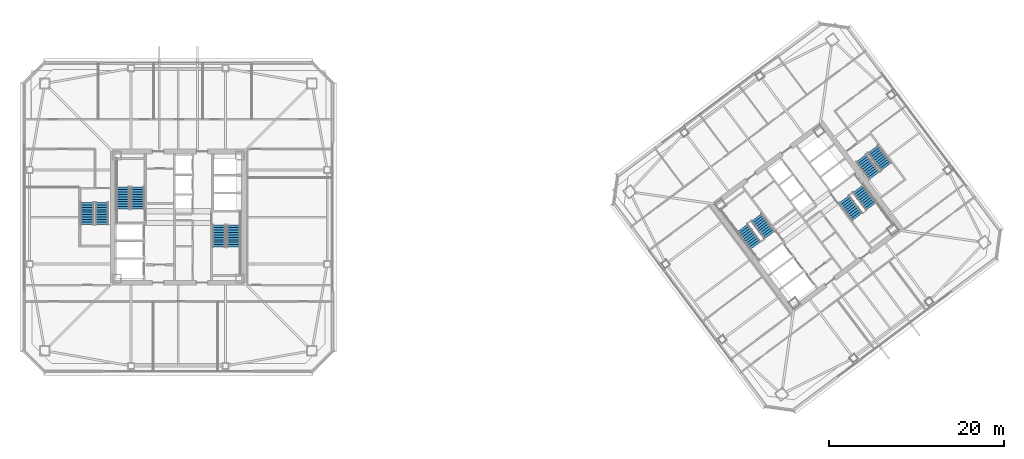
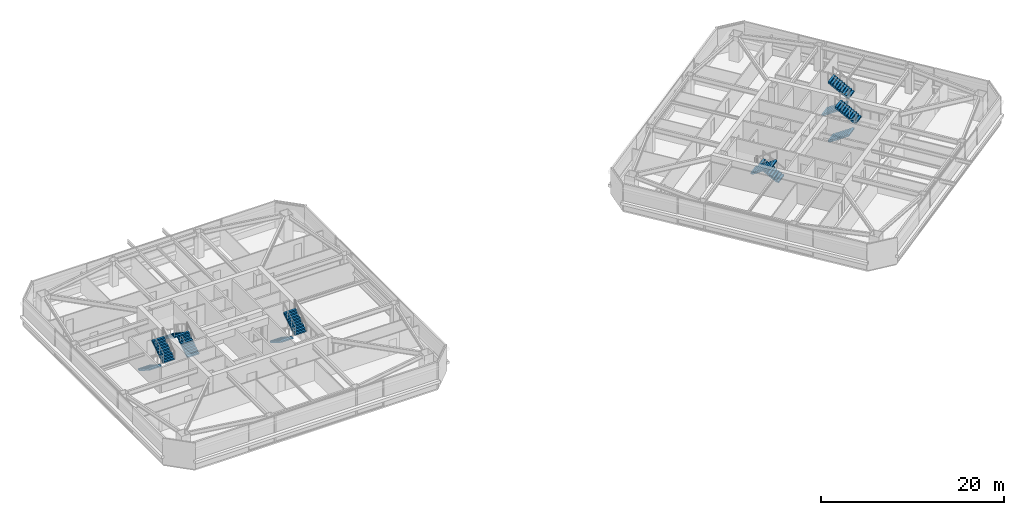
# One storey, part 36 of 42: 12 stair flights, 6 elements without a shape of their own.
"""IFC4 building model written with IfcOpenShell, lengths in metres."""

from ifc_helpers import new_model, si_unit, direction, frame, origin, place, context, subcontext, project, spatial, polyline, outline, extrude, material, type_object, element, aggregate, save


model = new_model("IFC4")

# Units and contexts
model_context = context("Model", 3, precision=1e-05, world=origin(), true_north=direction((0.0, 1.0)))
body_context = subcontext(model_context, "Body", "Model", "MODEL_VIEW")
ifc_project = project(units=[si_unit("LENGTHUNIT", "METRE"), si_unit("AREAUNIT", "SQUARE_METRE"), si_unit("VOLUMEUNIT", "CUBIC_METRE"), si_unit("PLANEANGLEUNIT", "RADIAN"), si_unit("MASSUNIT", "GRAM", prefix="KILO")], contexts=[model_context])

# Site, building, storey
site_placement = place(None, origin())
site = spatial("IfcSite", under=ifc_project, at=site_placement, CompositionType="ELEMENT")
building_placement = place(site_placement, origin())
building = spatial("IfcBuilding", under=site, at=building_placement, Name="Tashvorn Skyway Center", CompositionType="ELEMENT")
storey_placement = place(building_placement, frame((0.0, 0.0, 164.10009765625)))
storey = spatial("IfcBuildingStorey", under=building, at=storey_placement, Name="L44", CompositionType="ELEMENT", Elevation=164.10009765625)

# Stair, stair flights
ifc_material = material(Name="Concrete C40/50", Category="concrete")
stair_type = type_object("IfcStairType", Name="STAIR-CORE-1500", PredefinedType="HALF_TURN_STAIR", material=ifc_material)
stair_1_placement = place(storey_placement, origin())
stair_1 = element("IfcStair", 1, at=stair_1_placement, inside=storey, type_object=stair_type, Name="L44 Tower 1 Exit Stair 1", PredefinedType="HALF_TURN_STAIR")
stair_flight_type = type_object("IfcStairFlightType", Name="SFLIGHT-1500", PredefinedType="STRAIGHT", material=ifc_material)
stair_flight_1_placement = place(storey_placement, frame((37.35009765625, 32.919921875, 0.0), z_axis=(0.0, 0.0, 1.0), x_axis=(0.0, 1.0, 0.0)))
stair_flight_1 = element("IfcStairFlight", 2, at=stair_flight_1_placement, type_object=stair_flight_type, Name="ST-T1-1 flight 1", NumberOfRisers=10, NumberOfTreads=9, PredefinedType="STRAIGHT", RiserHeight=0.1775, TreadLength=0.28, context=body_context, shape_type="SweptSolid", body=[
    extrude(outline(polyline([(0.0, 0.0), (0.0, 0.177490234375), (0.280029296875, 0.177490234375), (0.280029296875, 0.35498046875), (0.56005859375, 0.35498046875), (0.56005859375, 0.532470703125), (0.840087890625, 0.532470703125), (0.840087890625, 0.7099609375), (1.1201171875, 0.7099609375), (1.1201171875, 0.887451171875), (1.39990234375, 0.887451171875), (1.39990234375, 1.06494140625), (1.679931640625, 1.06494140625), (1.679931640625, 1.242431640625), (1.9599609375, 1.242431640625), (1.9599609375, 1.419921875), (2.239990234375, 1.419921875), (2.239990234375, 1.597412109375), (2.52001953125, 1.597412109375), (2.52001953125, 1.77490234375), (2.52001953125, 1.419921875), (0.280029296875, 0.0), (0.0, 0.0)])), frame((0.0, 0.75, 0.0), z_axis=(0.0, -1.0, 0.0), x_axis=(1.0, 0.0, 0.0)), (0.0, 0.0, 1.0), 1.5),
])
stair_flight_2_placement = place(storey_placement, frame((35.64990234375, 35.43994140625, 1.77490234375), z_axis=(0.0, 0.0, 1.0), x_axis=(0.0, -1.0, 0.0)))
stair_flight_2 = element("IfcStairFlight", 3, at=stair_flight_2_placement, type_object=stair_flight_type, Name="ST-T1-1 flight 2", NumberOfRisers=10, NumberOfTreads=9, PredefinedType="STRAIGHT", RiserHeight=0.1775, TreadLength=0.28, context=body_context, shape_type="SweptSolid", body=[
    extrude(outline(polyline([(0.0, 0.0), (0.0, 0.177490234375), (0.280029296875, 0.177490234375), (0.280029296875, 0.35498046875), (0.56005859375, 0.35498046875), (0.56005859375, 0.532470703125), (0.840087890625, 0.532470703125), (0.840087890625, 0.7099609375), (1.1201171875, 0.7099609375), (1.1201171875, 0.887451171875), (1.39990234375, 0.887451171875), (1.39990234375, 1.06494140625), (1.679931640625, 1.06494140625), (1.679931640625, 1.242431640625), (1.9599609375, 1.242431640625), (1.9599609375, 1.419921875), (2.239990234375, 1.419921875), (2.239990234375, 1.597412109375), (2.52001953125, 1.597412109375), (2.52001953125, 1.77490234375), (2.52001953125, 1.419921875), (0.280029296875, 0.0), (0.0, 0.0)])), frame((0.0, 0.75, 0.0), z_axis=(0.0, -1.0, 0.0), x_axis=(1.0, 0.0, 0.0)), (0.0, 0.0, 1.0), 1.5),
])
aggregate(stair_1, [stair_flight_1, stair_flight_2])

stair_2_placement = place(storey_placement, origin())
stair_2 = element("IfcStair", 4, at=stair_2_placement, inside=storey, type_object=stair_type, Name="L44 Tower 1 Exit Stair 2", PredefinedType="HALF_TURN_STAIR")
stair_flight_3_placement = place(storey_placement, frame((46.64990234375, 31.080078125, 0.0), z_axis=(0.0, 0.0, 1.0), x_axis=(0.0, -1.0, 0.0)))
stair_flight_3 = element("IfcStairFlight", 5, at=stair_flight_3_placement, type_object=stair_flight_type, Name="ST-T1-2 flight 1", NumberOfRisers=10, NumberOfTreads=9, PredefinedType="STRAIGHT", RiserHeight=0.1775, TreadLength=0.28, context=body_context, shape_type="SweptSolid", body=[
    extrude(outline(polyline([(0.0, 0.0), (0.0, 0.177490234375), (0.280029296875, 0.177490234375), (0.280029296875, 0.35498046875), (0.56005859375, 0.35498046875), (0.56005859375, 0.532470703125), (0.840087890625, 0.532470703125), (0.840087890625, 0.7099609375), (1.1201171875, 0.7099609375), (1.1201171875, 0.887451171875), (1.39990234375, 0.887451171875), (1.39990234375, 1.06494140625), (1.679931640625, 1.06494140625), (1.679931640625, 1.242431640625), (1.9599609375, 1.242431640625), (1.9599609375, 1.419921875), (2.239990234375, 1.419921875), (2.239990234375, 1.597412109375), (2.52001953125, 1.597412109375), (2.52001953125, 1.77490234375), (2.52001953125, 1.419921875), (0.280029296875, 0.0), (0.0, 0.0)])), frame((0.0, 0.75, 0.0), z_axis=(0.0, -1.0, 0.0), x_axis=(1.0, 0.0, 0.0)), (0.0, 0.0, 1.0), 1.5),
])
stair_flight_4_placement = place(storey_placement, frame((48.35009765625, 28.56005859375, 1.77490234375), z_axis=(0.0, 0.0, 1.0), x_axis=(0.0, 1.0, 0.0)))
stair_flight_4 = element("IfcStairFlight", 6, at=stair_flight_4_placement, type_object=stair_flight_type, Name="ST-T1-2 flight 2", NumberOfRisers=10, NumberOfTreads=9, PredefinedType="STRAIGHT", RiserHeight=0.1775, TreadLength=0.28, context=body_context, shape_type="SweptSolid", body=[
    extrude(outline(polyline([(0.0, 0.0), (0.0, 0.177490234375), (0.280029296875, 0.177490234375), (0.280029296875, 0.35498046875), (0.56005859375, 0.35498046875), (0.56005859375, 0.532470703125), (0.840087890625, 0.532470703125), (0.840087890625, 0.7099609375), (1.1201171875, 0.7099609375), (1.1201171875, 0.887451171875), (1.39990234375, 0.887451171875), (1.39990234375, 1.06494140625), (1.679931640625, 1.06494140625), (1.679931640625, 1.242431640625), (1.9599609375, 1.242431640625), (1.9599609375, 1.419921875), (2.239990234375, 1.419921875), (2.239990234375, 1.597412109375), (2.52001953125, 1.597412109375), (2.52001953125, 1.77490234375), (2.52001953125, 1.419921875), (0.280029296875, 0.0), (0.0, 0.0)])), frame((0.0, 0.75, 0.0), z_axis=(0.0, -1.0, 0.0), x_axis=(1.0, 0.0, 0.0)), (0.0, 0.0, 1.0), 1.5),
])
aggregate(stair_2, [stair_flight_3, stair_flight_4])

stair_3_placement = place(storey_placement, origin())
stair_3 = element("IfcStair", 7, at=stair_3_placement, inside=storey, type_object=stair_type, Name="L44 Tower 2 Exit Stair 1", PredefinedType="HALF_TURN_STAIR")
stair_flight_5_placement = place(storey_placement, frame((109.72802734375, 29.946044921875, 0.0), z_axis=(0.0, 0.0, 1.0), x_axis=(-0.600000004945, 0.799999996291, 0.0)))
stair_flight_5 = element("IfcStairFlight", 8, at=stair_flight_5_placement, type_object=stair_flight_type, Name="ST-T2-1 flight 1", NumberOfRisers=10, NumberOfTreads=9, PredefinedType="STRAIGHT", RiserHeight=0.1775, TreadLength=0.28, context=body_context, shape_type="SweptSolid", body=[
    extrude(outline(polyline([(0.0, 0.0), (0.0, 0.177490234375), (0.280029296875, 0.177490234375), (0.280029296875, 0.35498046875), (0.56005859375, 0.35498046875), (0.56005859375, 0.532470703125), (0.840087890625, 0.532470703125), (0.840087890625, 0.7099609375), (1.1201171875, 0.7099609375), (1.1201171875, 0.887451171875), (1.39990234375, 0.887451171875), (1.39990234375, 1.06494140625), (1.679931640625, 1.06494140625), (1.679931640625, 1.242431640625), (1.9599609375, 1.242431640625), (1.9599609375, 1.419921875), (2.239990234375, 1.419921875), (2.239990234375, 1.597412109375), (2.52001953125, 1.597412109375), (2.52001953125, 1.77490234375), (2.52001953125, 1.419921875), (0.280029296875, 0.0), (0.0, 0.0)])), frame((0.0, 0.75, 0.0), z_axis=(0.0, -1.0, 0.0), x_axis=(1.0, 0.0, 0.0)), (0.0, 0.0, 1.0), 1.5),
])
stair_flight_6_placement = place(storey_placement, frame((106.632080078125, 30.77392578125, 1.77490234375), z_axis=(0.0, 0.0, 1.0), x_axis=(0.600000004945, -0.799999996291, 0.0)))
stair_flight_6 = element("IfcStairFlight", 9, at=stair_flight_6_placement, type_object=stair_flight_type, Name="ST-T2-1 flight 2", NumberOfRisers=10, NumberOfTreads=9, PredefinedType="STRAIGHT", RiserHeight=0.1775, TreadLength=0.28, context=body_context, shape_type="SweptSolid", body=[
    extrude(outline(polyline([(0.0, 0.0), (0.0, 0.177490234375), (0.280029296875, 0.177490234375), (0.280029296875, 0.35498046875), (0.56005859375, 0.35498046875), (0.56005859375, 0.532470703125), (0.840087890625, 0.532470703125), (0.840087890625, 0.7099609375), (1.1201171875, 0.7099609375), (1.1201171875, 0.887451171875), (1.39990234375, 0.887451171875), (1.39990234375, 1.06494140625), (1.679931640625, 1.06494140625), (1.679931640625, 1.242431640625), (1.9599609375, 1.242431640625), (1.9599609375, 1.419921875), (2.239990234375, 1.419921875), (2.239990234375, 1.597412109375), (2.52001953125, 1.597412109375), (2.52001953125, 1.77490234375), (2.52001953125, 1.419921875), (0.280029296875, 0.0), (0.0, 0.0)])), frame((0.0, 0.75, 0.0), z_axis=(0.0, -1.0, 0.0), x_axis=(1.0, 0.0, 0.0)), (0.0, 0.0, 1.0), 1.5),
])
aggregate(stair_3, [stair_flight_5, stair_flight_6])

stair_4_placement = place(storey_placement, origin())
stair_4 = element("IfcStair", 10, at=stair_4_placement, inside=storey, type_object=stair_type, Name="L44 Tower 2 Exit Stair 2", PredefinedType="HALF_TURN_STAIR")
stair_flight_7_placement = place(storey_placement, frame((118.27197265625, 34.053955078125, 0.0), z_axis=(0.0, 0.0, 1.0), x_axis=(0.600000004945, -0.799999996291, 0.0)))
stair_flight_7 = element("IfcStairFlight", 11, at=stair_flight_7_placement, type_object=stair_flight_type, Name="ST-T2-2 flight 1", NumberOfRisers=10, NumberOfTreads=9, PredefinedType="STRAIGHT", RiserHeight=0.1775, TreadLength=0.28, context=body_context, shape_type="SweptSolid", body=[
    extrude(outline(polyline([(0.0, 0.0), (0.0, 0.177490234375), (0.280029296875, 0.177490234375), (0.280029296875, 0.35498046875), (0.56005859375, 0.35498046875), (0.56005859375, 0.532470703125), (0.840087890625, 0.532470703125), (0.840087890625, 0.7099609375), (1.1201171875, 0.7099609375), (1.1201171875, 0.887451171875), (1.39990234375, 0.887451171875), (1.39990234375, 1.06494140625), (1.679931640625, 1.06494140625), (1.679931640625, 1.242431640625), (1.9599609375, 1.242431640625), (1.9599609375, 1.419921875), (2.239990234375, 1.419921875), (2.239990234375, 1.597412109375), (2.52001953125, 1.597412109375), (2.52001953125, 1.77490234375), (2.52001953125, 1.419921875), (0.280029296875, 0.0), (0.0, 0.0)])), frame((0.0, 0.75, 0.0), z_axis=(0.0, -1.0, 0.0), x_axis=(1.0, 0.0, 0.0)), (0.0, 0.0, 1.0), 1.5),
])
stair_flight_8_placement = place(storey_placement, frame((121.367919921875, 33.22607421875, 1.77490234375), z_axis=(0.0, 0.0, 1.0), x_axis=(-0.600000004945, 0.799999996291, 0.0)))
stair_flight_8 = element("IfcStairFlight", 12, at=stair_flight_8_placement, type_object=stair_flight_type, Name="ST-T2-2 flight 2", NumberOfRisers=10, NumberOfTreads=9, PredefinedType="STRAIGHT", RiserHeight=0.1775, TreadLength=0.28, context=body_context, shape_type="SweptSolid", body=[
    extrude(outline(polyline([(0.0, 0.0), (0.0, 0.177490234375), (0.280029296875, 0.177490234375), (0.280029296875, 0.35498046875), (0.56005859375, 0.35498046875), (0.56005859375, 0.532470703125), (0.840087890625, 0.532470703125), (0.840087890625, 0.7099609375), (1.1201171875, 0.7099609375), (1.1201171875, 0.887451171875), (1.39990234375, 0.887451171875), (1.39990234375, 1.06494140625), (1.679931640625, 1.06494140625), (1.679931640625, 1.242431640625), (1.9599609375, 1.242431640625), (1.9599609375, 1.419921875), (2.239990234375, 1.419921875), (2.239990234375, 1.597412109375), (2.52001953125, 1.597412109375), (2.52001953125, 1.77490234375), (2.52001953125, 1.419921875), (0.280029296875, 0.0), (0.0, 0.0)])), frame((0.0, 0.75, 0.0), z_axis=(0.0, -1.0, 0.0), x_axis=(1.0, 0.0, 0.0)), (0.0, 0.0, 1.0), 1.5),
])
aggregate(stair_4, [stair_flight_7, stair_flight_8])

stair_5_placement = place(storey_placement, origin())
stair_5 = element("IfcStair", 13, at=stair_5_placement, inside=storey, type_object=stair_type, Name="L44 Tower 1 Exit Stair 3", PredefinedType="HALF_TURN_STAIR")
stair_flight_9_placement = place(storey_placement, frame((31.550048828125, 33.679931640625, 0.0), z_axis=(0.0, 0.0, 1.0), x_axis=(0.0, -1.0, 0.0)))
stair_flight_9 = element("IfcStairFlight", 14, at=stair_flight_9_placement, type_object=stair_flight_type, Name="ST-T1-3 flight 1", NumberOfRisers=10, NumberOfTreads=9, PredefinedType="STRAIGHT", RiserHeight=0.1775, TreadLength=0.28, context=body_context, shape_type="SweptSolid", body=[
    extrude(outline(polyline([(0.0, 0.0), (0.0, 0.177490234375), (0.280029296875, 0.177490234375), (0.280029296875, 0.35498046875), (0.56005859375, 0.35498046875), (0.56005859375, 0.532470703125), (0.840087890625, 0.532470703125), (0.840087890625, 0.7099609375), (1.1201171875, 0.7099609375), (1.1201171875, 0.887451171875), (1.39990234375, 0.887451171875), (1.39990234375, 1.06494140625), (1.679931640625, 1.06494140625), (1.679931640625, 1.242431640625), (1.9599609375, 1.242431640625), (1.9599609375, 1.419921875), (2.239990234375, 1.419921875), (2.239990234375, 1.597412109375), (2.52001953125, 1.597412109375), (2.52001953125, 1.77490234375), (2.52001953125, 1.419921875), (0.280029296875, 0.0), (0.0, 0.0)])), frame((0.0, 0.75, 0.0), z_axis=(0.0, -1.0, 0.0), x_axis=(1.0, 0.0, 0.0)), (0.0, 0.0, 1.0), 1.5),
])
stair_flight_10_placement = place(storey_placement, frame((33.25, 31.159912109375, 1.77490234375), z_axis=(0.0, 0.0, 1.0), x_axis=(0.0, 1.0, 0.0)))
stair_flight_10 = element("IfcStairFlight", 15, at=stair_flight_10_placement, type_object=stair_flight_type, Name="ST-T1-3 flight 2", NumberOfRisers=10, NumberOfTreads=9, PredefinedType="STRAIGHT", RiserHeight=0.1775, TreadLength=0.28, context=body_context, shape_type="SweptSolid", body=[
    extrude(outline(polyline([(0.0, 0.0), (0.0, 0.177490234375), (0.280029296875, 0.177490234375), (0.280029296875, 0.35498046875), (0.56005859375, 0.35498046875), (0.56005859375, 0.532470703125), (0.840087890625, 0.532470703125), (0.840087890625, 0.7099609375), (1.1201171875, 0.7099609375), (1.1201171875, 0.887451171875), (1.39990234375, 0.887451171875), (1.39990234375, 1.06494140625), (1.679931640625, 1.06494140625), (1.679931640625, 1.242431640625), (1.9599609375, 1.242431640625), (1.9599609375, 1.419921875), (2.239990234375, 1.419921875), (2.239990234375, 1.597412109375), (2.52001953125, 1.597412109375), (2.52001953125, 1.77490234375), (2.52001953125, 1.419921875), (0.280029296875, 0.0), (0.0, 0.0)])), frame((0.0, 0.75, 0.0), z_axis=(0.0, -1.0, 0.0), x_axis=(1.0, 0.0, 0.0)), (0.0, 0.0, 1.0), 1.5),
])
aggregate(stair_5, [stair_flight_9, stair_flight_10])

stair_6_placement = place(storey_placement, origin())
stair_6 = element("IfcStair", 16, at=stair_6_placement, inside=storey, type_object=stair_type, Name="L44 Tower 2 Exit Stair 3", PredefinedType="HALF_TURN_STAIR")
stair_flight_11_placement = place(storey_placement, frame((120.216064453125, 38.761962890625, 0.0), z_axis=(0.0, 0.0, 1.0), x_axis=(0.600000004945, -0.799999996291, 0.0)))
stair_flight_11 = element("IfcStairFlight", 17, at=stair_flight_11_placement, type_object=stair_flight_type, Name="ST-T2-3 flight 1", NumberOfRisers=10, NumberOfTreads=9, PredefinedType="STRAIGHT", RiserHeight=0.1775, TreadLength=0.28, context=body_context, shape_type="SweptSolid", body=[
    extrude(outline(polyline([(0.0, 0.0), (0.0, 0.177490234375), (0.280029296875, 0.177490234375), (0.280029296875, 0.35498046875), (0.56005859375, 0.35498046875), (0.56005859375, 0.532470703125), (0.840087890625, 0.532470703125), (0.840087890625, 0.7099609375), (1.1201171875, 0.7099609375), (1.1201171875, 0.887451171875), (1.39990234375, 0.887451171875), (1.39990234375, 1.06494140625), (1.679931640625, 1.06494140625), (1.679931640625, 1.242431640625), (1.9599609375, 1.242431640625), (1.9599609375, 1.419921875), (2.239990234375, 1.419921875), (2.239990234375, 1.597412109375), (2.52001953125, 1.597412109375), (2.52001953125, 1.77490234375), (2.52001953125, 1.419921875), (0.280029296875, 0.0), (0.0, 0.0)])), frame((0.0, 0.75, 0.0), z_axis=(0.0, -1.0, 0.0), x_axis=(1.0, 0.0, 0.0)), (0.0, 0.0, 1.0), 1.5),
])
stair_flight_12_placement = place(storey_placement, frame((123.087890625, 37.76611328125, 1.77490234375), z_axis=(0.0, 0.0, 1.0), x_axis=(-0.600000004945, 0.799999996291, 0.0)))
stair_flight_12 = element("IfcStairFlight", 18, at=stair_flight_12_placement, type_object=stair_flight_type, Name="ST-T2-3 flight 2", NumberOfRisers=10, NumberOfTreads=9, PredefinedType="STRAIGHT", RiserHeight=0.1775, TreadLength=0.28, context=body_context, shape_type="SweptSolid", body=[
    extrude(outline(polyline([(0.0, 0.0), (0.0, 0.177490234375), (0.280029296875, 0.177490234375), (0.280029296875, 0.35498046875), (0.56005859375, 0.35498046875), (0.56005859375, 0.532470703125), (0.840087890625, 0.532470703125), (0.840087890625, 0.7099609375), (1.1201171875, 0.7099609375), (1.1201171875, 0.887451171875), (1.39990234375, 0.887451171875), (1.39990234375, 1.06494140625), (1.679931640625, 1.06494140625), (1.679931640625, 1.242431640625), (1.9599609375, 1.242431640625), (1.9599609375, 1.419921875), (2.239990234375, 1.419921875), (2.239990234375, 1.597412109375), (2.52001953125, 1.597412109375), (2.52001953125, 1.77490234375), (2.52001953125, 1.419921875), (0.280029296875, 0.0), (0.0, 0.0)])), frame((0.0, 0.75, 0.0), z_axis=(0.0, -1.0, 0.0), x_axis=(1.0, 0.0, 0.0)), (0.0, 0.0, 1.0), 1.5),
])
aggregate(stair_6, [stair_flight_11, stair_flight_12])

save(model, "model.ifc")
